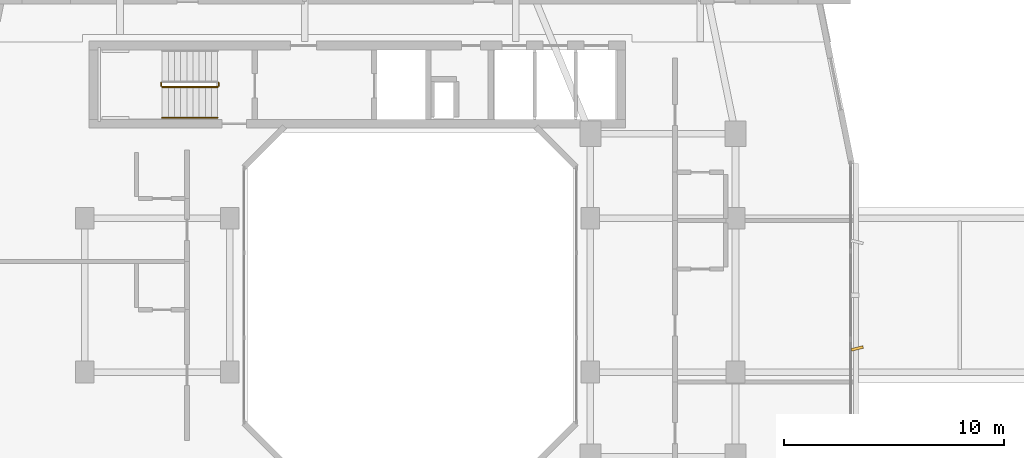
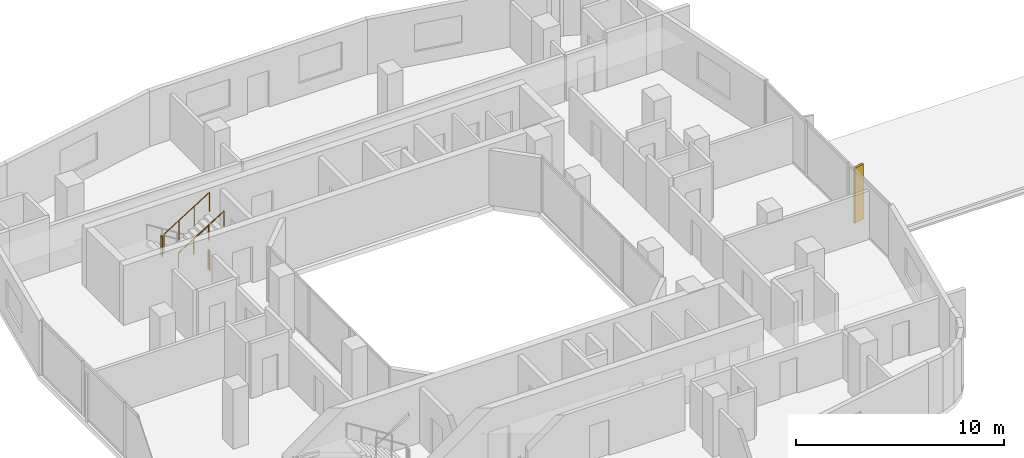
# One storey, part 20 of 22: 4 railings, 1 shading device.
"""IFC4 building model written with IfcOpenShell, lengths in metres."""

from ifc_helpers import new_model, si_unit, derived_unit, direction, frame, origin, origin_2d, place, context, subcontext, project, spatial, rectangle, circle, extrude, material, type_object, element, save


model = new_model("IFC4")

# Units and contexts
model_context = context("Model", 3, precision=1e-05, world=origin(), true_north=direction((0.0, 1.0)))
body_context = subcontext(model_context, "Body", "Model", "MODEL_VIEW")
ifc_project = project(units=[si_unit("LENGTHUNIT", "METRE"), si_unit("AREAUNIT", "SQUARE_METRE"), si_unit("VOLUMEUNIT", "CUBIC_METRE"), si_unit("PLANEANGLEUNIT", "RADIAN"), si_unit("MASSUNIT", "GRAM", prefix="KILO"), derived_unit("THERMALTRANSMITTANCEUNIT", [(si_unit("POWERUNIT", "WATT"), 1), (si_unit("LENGTHUNIT", "METRE"), -2), (si_unit("THERMODYNAMICTEMPERATUREUNIT", "KELVIN"), -1)])], contexts=[model_context])

# Site, building, storey
site_placement = place(None, origin())
site = spatial("IfcSite", under=ifc_project, at=site_placement, CompositionType="ELEMENT")
building_placement = place(site_placement, origin())
building = spatial("IfcBuilding", under=site, at=building_placement, Name="Kivonza Crest Hotel", CompositionType="ELEMENT")
storey_placement = place(building_placement, frame((0.0, 0.0, 124.0)))
storey = spatial("IfcBuildingStorey", under=building, at=storey_placement, Name="L33", CompositionType="ELEMENT", Elevation=124.0)

# Railings
ifc_material_1 = material(Name="Brushed stainless steel handrail", Category="steel")
railing_type_1 = type_object("IfcRailingType", Name="RL-HAND-900", PredefinedType="HANDRAIL", material=ifc_material_1)
railing_1_placement = place(storey_placement, frame((9.719970703125, 33.070068359375, 1.925048828125)))
element("IfcRailing", 1, at=railing_1_placement, inside=storey, type_object=railing_type_1, Name="L33 ST-T1-N stair handrail 2", PredefinedType="HANDRAIL", context=body_context, shape_type="SweptSolid", body=[
    extrude(circle(Radius=0.02392578125, at=origin_2d()), frame((0.0, 0.0, 0.8759765625), z_axis=(0.848007534815, 0.0, 0.529984170421), x_axis=(0.0, 1.0, 0.0)), (0.0, 0.0, 1.0), 2.9716796875),
    extrude(circle(Radius=0.02099609375, at=origin_2d()), origin(), (0.0, 0.0, 1.0), 0.851806640625),
    extrude(circle(Radius=0.02099609375, at=origin_2d()), frame((0.840087890625, 0.0, 0.52490234375)), (0.0, 0.0, 1.0), 0.851806640625),
    extrude(circle(Radius=0.02099609375, at=origin_2d()), frame((1.679931640625, 0.0, 1.050048828125)), (0.0, 0.0, 1.0), 0.851806640625),
    extrude(circle(Radius=0.02099609375, at=origin_2d()), frame((2.52001953125, 0.0, 1.574951171875)), (0.0, 0.0, 1.0), 0.851806640625),
])
ifc_material_2 = material(Name="Painted steel balustrade", Category="steel")
railing_type_2 = type_object("IfcRailingType", Name="RL-STAIR-1150", PredefinedType="BALUSTRADE", material=ifc_material_2)
railing_2_placement = place(storey_placement, frame((9.669921875, 34.659912109375, 1.75)))
element("IfcRailing", 2, at=railing_2_placement, inside=storey, type_object=railing_type_2, Name="L33 ST-T1-N stair guard 2", PredefinedType="BALUSTRADE", context=body_context, shape_type="SweptSolid", body=[
    extrude(circle(Radius=0.02392578125, at=origin_2d()), frame((0.0, 0.0, 1.1259765625), z_axis=(0.0, -1.0, 0.0), x_axis=(1.0, 0.0, 0.0)), (0.0, 0.0, 1.0), 0.139892578125),
    extrude(circle(Radius=0.02099609375, at=origin_2d()), origin(), (0.0, 0.0, 1.0), 1.101806640625),
    extrude(circle(Radius=0.02099609375, at=origin_2d()), frame((0.0, -0.139892578125, 0.0)), (0.0, 0.0, 1.0), 1.101806640625),
])
railing_3_placement = place(storey_placement, frame((9.719970703125, 34.469970703125, 1.925048828125)))
element("IfcRailing", 3, at=railing_3_placement, inside=storey, type_object=railing_type_2, Name="L33 ST-T1-N stair guard 3", PredefinedType="BALUSTRADE", context=body_context, shape_type="SweptSolid", body=[
    extrude(circle(Radius=0.02392578125, at=origin_2d()), frame((0.0, 0.0, 1.1259765625), z_axis=(0.848007534815, 0.0, 0.529984170421), x_axis=(0.0, 1.0, 0.0)), (0.0, 0.0, 1.0), 2.9716796875),
    extrude(circle(Radius=0.02099609375, at=origin_2d()), origin(), (0.0, 0.0, 1.0), 1.101806640625),
    extrude(circle(Radius=0.02099609375, at=origin_2d()), frame((0.840087890625, 0.0, 0.52490234375)), (0.0, 0.0, 1.0), 1.101806640625),
    extrude(circle(Radius=0.02099609375, at=origin_2d()), frame((1.679931640625, 0.0, 1.050048828125)), (0.0, 0.0, 1.0), 1.101806640625),
    extrude(circle(Radius=0.02099609375, at=origin_2d()), frame((2.52001953125, 0.0, 1.574951171875)), (0.0, 0.0, 1.0), 1.101806640625),
])
railing_4_placement = place(storey_placement, frame((12.2900390625, 34.659912109375, 0.0)))
element("IfcRailing", 4, at=railing_4_placement, inside=storey, type_object=railing_type_2, Name="L33 ST-T1-N stair guard 4", PredefinedType="BALUSTRADE", context=body_context, shape_type="SweptSolid", body=[
    extrude(circle(Radius=0.02392578125, at=origin_2d()), frame((0.0, 0.0, 1.1259765625), z_axis=(0.0, -1.0, 0.0), x_axis=(1.0, 0.0, 0.0)), (0.0, 0.0, 1.0), 0.139892578125),
    extrude(circle(Radius=0.02099609375, at=origin_2d()), origin(), (0.0, 0.0, 1.0), 1.101806640625),
    extrude(circle(Radius=0.02099609375, at=origin_2d()), frame((0.0, -0.139892578125, 0.0)), (0.0, 0.0, 1.0), 1.101806640625),
])

# Shading device
ifc_material_3 = material(Name="Kiln-fired terracotta over extruded aluminium spine", Category="masonry")
shading_device_type = type_object("IfcShadingDeviceType", Name="SH-FIN-550", PredefinedType="USERDEFINED", material=ifc_material_3)
shading_device_placement = place(storey_placement, frame((41.340087890625, 22.575927734375, 0.0), z_axis=(0.0, 0.0, 1.0), x_axis=(-0.2419218956, 0.970295726276, 0.0)))
element("IfcShadingDevice", 5, at=shading_device_placement, inside=storey, type_object=shading_device_type, Name="L33 vertical solar shading fin CW-T1-L33-17-1", ObjectType="FIN", PredefinedType="USERDEFINED", context=body_context, shape_type="SweptSolid", body=[
    extrude(rectangle(XDim=0.1201171875, YDim=0.550048828125, at=origin_2d()), origin(), (0.0, 0.0, 1.0), 3.219970703125),
])

save(model, "model.ifc")
